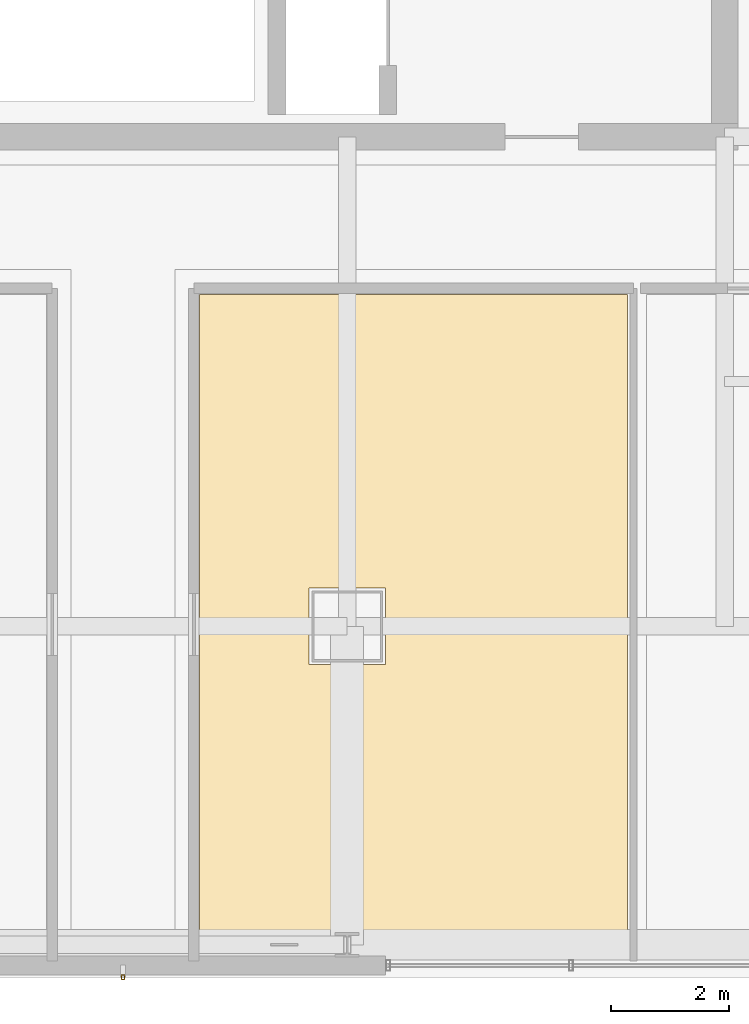
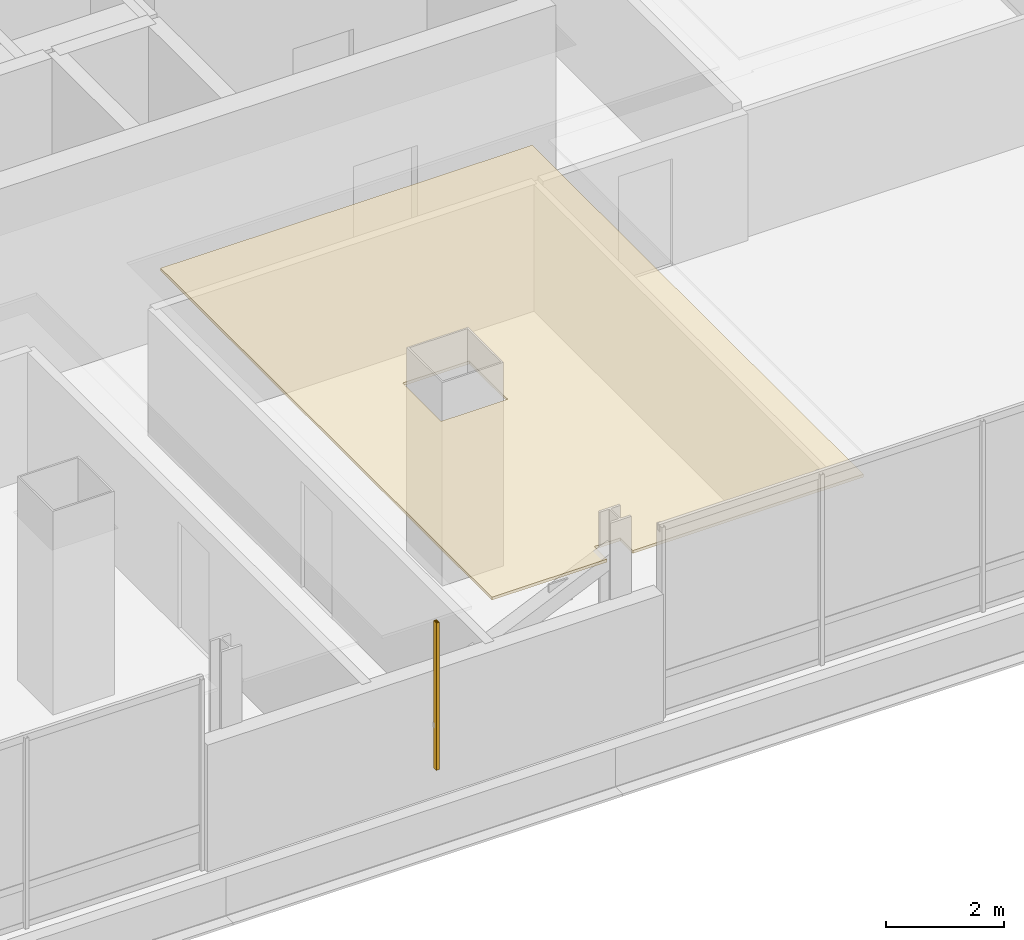
# One storey, part 40 of 46: 1 covering, 1 shading device.
"""IFC4 building model written with IfcOpenShell, lengths in metres."""

from ifc_helpers import new_model, si_unit, direction, frame, origin, origin_2d, place, context, subcontext, project, spatial, polyline, hollow_rectangle, outline, extrude, material, layer, layer_set, material_profile, profile_set, type_object, element, save


model = new_model("IFC4")

# Units and contexts
model_context = context("Model", 3, precision=1e-05, world=origin(), true_north=direction((0.0, 1.0)))
body_context = subcontext(model_context, "Body", "Model", "MODEL_VIEW")
ifc_project = project(units=[si_unit("LENGTHUNIT", "METRE"), si_unit("AREAUNIT", "SQUARE_METRE"), si_unit("VOLUMEUNIT", "CUBIC_METRE"), si_unit("PLANEANGLEUNIT", "RADIAN"), si_unit("MASSUNIT", "GRAM", prefix="KILO")], contexts=[model_context])

# Site, building, storey
site_placement = place(None, origin())
site = spatial("IfcSite", under=ifc_project, at=site_placement, CompositionType="ELEMENT")
building_placement = place(site_placement, origin())
building = spatial("IfcBuilding", under=site, at=building_placement, Name="Punatoya Terracotta Tower", CompositionType="ELEMENT")
storey_placement = place(building_placement, frame((0.0, 0.0, 330.0)))
storey = spatial("IfcBuildingStorey", under=building, at=storey_placement, Name="L78", CompositionType="ELEMENT", Elevation=330.0)

# Covering
ifc_material_1 = material(Name="Acoustic Mineral Fibre Ceiling")
ifc_layer = layer(ifc_material_1, 0.06005859375)
ifc_layer_set = layer_set([ifc_layer], Name="Acoustic Mineral Fibre Ceiling")
covering_type = type_object("IfcCoveringType", Name="COV-CEIL-60", PredefinedType="CEILING", material=ifc_layer_set)
covering_placement = place(storey_placement, frame((0.0, 0.0, 3.389892578125)))
element("IfcCovering", 1, at=covering_placement, inside=storey, type_object=covering_type, Name="L78 Open-Plan Cartography Reference Library Acoustic Ceiling", PredefinedType="CEILING", context=body_context, shape_type="SweptSolid", body=[
    extrude(outline(polyline([(1.300048828125, -23.070068359375), (3.547119140625, -23.070068359375), (3.547119140625, -22.64208984375), (4.052978515625, -22.64208984375), (4.052978515625, -23.070068359375), (8.552001953125, -23.070068359375), (8.552001953125, -11.8701171875), (1.300048828125, -11.8701171875), (1.300048828125, -23.070068359375)]), holes=[polyline([(4.449951171875, -16.85009765625), (4.449951171875, -18.14990234375), (3.14990234375, -18.14990234375), (3.14990234375, -16.85009765625), (4.449951171875, -16.85009765625)])]), origin(), (0.0, 0.0, 1.0), 0.06005859375),
])

# Shading device
ifc_material_2 = material(Name="Architectural Fired Terracotta", Category="masonry")
ifc_material_profile = material_profile(ifc_material_2, hollow_rectangle(XDim=0.06005859375, YDim=0.090087890625, WallThickness=0.013916015625, at=origin_2d()))
ifc_profile_set = profile_set([ifc_material_profile], Name="Architectural Fired Terracotta")
shading_device_type = type_object("IfcShadingDeviceType", Name="SHD-JALI-90", PredefinedType="JALOUSIE", material=ifc_profile_set)
shading_device_placement = place(storey_placement, frame((0.0, -23.449951171875, 0.60009765625), z_axis=(0.0, 0.0, 1.0), x_axis=(1.0, 0.0, 0.0)))
element("IfcShadingDevice", 2, at=shading_device_placement, inside=storey, type_object=shading_device_type, Name="L78 Braced Bay Terracotta Jali Fin S1", PredefinedType="JALOUSIE", context=body_context, shape_type="SweptSolid", body=[
    extrude(hollow_rectangle(XDim=0.06005859375, YDim=0.090087890625, WallThickness=0.013916015625, at=origin_2d()), origin(), (0.0, 0.0, 1.0), 3.039794921875),
])

save(model, "model.ifc")
